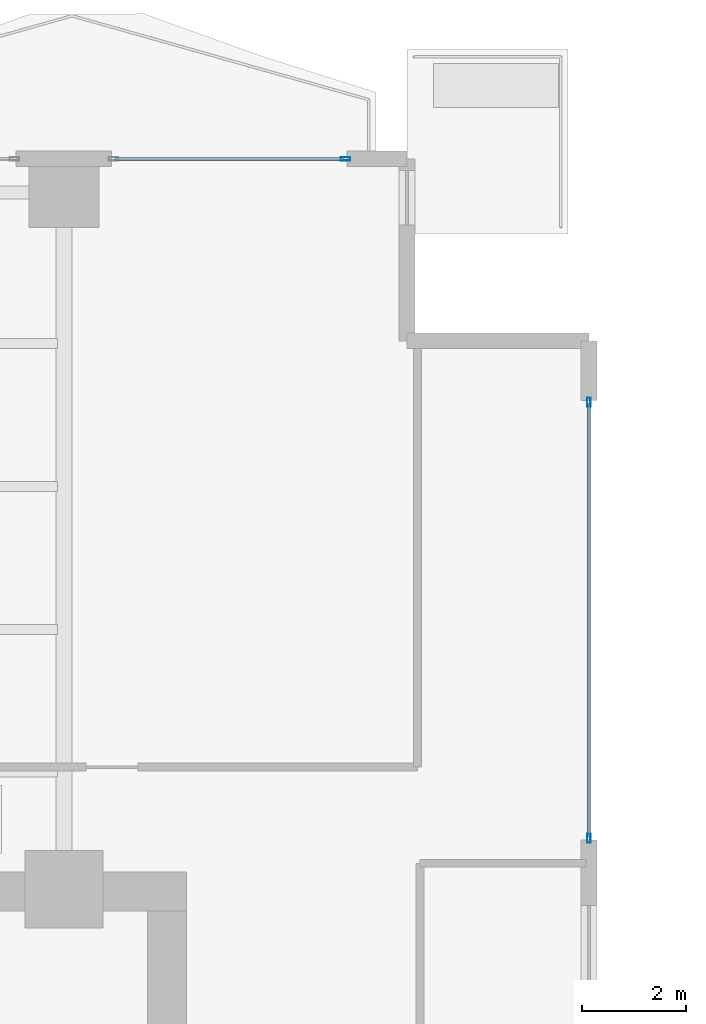
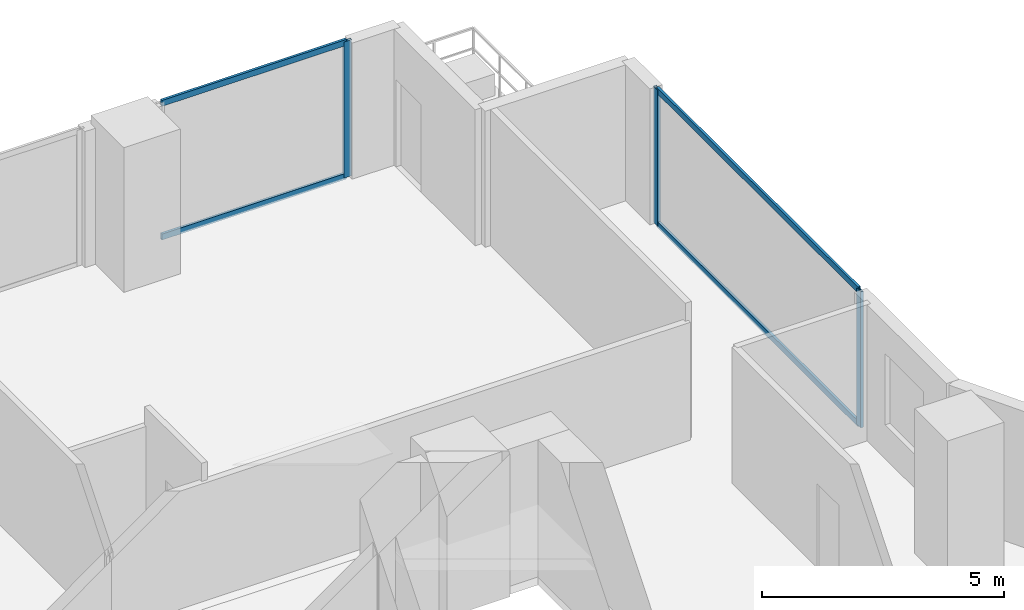
# One storey, part 19 of 28: 7 members, 2 elements without a shape of their own.
"""IFC4 building model written with IfcOpenShell, lengths in metres."""

from ifc_helpers import new_model, si_unit, direction, frame, origin, origin_2d, place, context, subcontext, project, spatial, hollow_rectangle, extrude, material, layer, layer_set, material_profile, profile_set, type_object, element, aggregate, save


model = new_model("IFC4")

# Units and contexts
model_context = context("Model", 3, precision=1e-05, world=origin(), true_north=direction((0.0, 1.0)))
body_context = subcontext(model_context, "Body", "Model", "MODEL_VIEW")
ifc_project = project(units=[si_unit("LENGTHUNIT", "METRE"), si_unit("AREAUNIT", "SQUARE_METRE"), si_unit("VOLUMEUNIT", "CUBIC_METRE"), si_unit("PLANEANGLEUNIT", "RADIAN"), si_unit("MASSUNIT", "GRAM", prefix="KILO")], contexts=[model_context])

# Site, building, storey
site_placement = place(None, origin())
site = spatial("IfcSite", under=ifc_project, at=site_placement, CompositionType="ELEMENT")
building_placement = place(site_placement, origin())
building = spatial("IfcBuilding", under=site, at=building_placement, Name="Zuhayl Quay Hotel", CompositionType="ELEMENT")
storey_placement = place(building_placement, frame((0.0, 0.0, 139.449951171875)))
storey = spatial("IfcBuildingStorey", under=building, at=storey_placement, Name="L35", CompositionType="ELEMENT", Elevation=139.449951171875)

# Curtain wall, member
ifc_material_1 = material(Name="Anodised Aluminium 6063-T6", Category="aluminium")
ifc_layer = layer(ifc_material_1, 0.179931640625, Name="Anodised Aluminium 6063-T6", Category="aluminium")
ifc_layer_set = layer_set([ifc_layer], Name="Anodised Aluminium 6063-T6")
curtain_wall_type = type_object("IfcCurtainWallType", Name="CW_SYS_Z2", PredefinedType="USERDEFINED", material=ifc_layer_set)
curtain_wall_1_placement = place(storey_placement, origin())
curtain_wall_1 = element("IfcCurtainWall", 1, at=curtain_wall_1_placement, inside=storey, type_object=curtain_wall_type, Name="L35 Curtain Wall ENV_L35_N_CW6", ObjectType="UNITISED CURTAIN WALL", PredefinedType="USERDEFINED")
ifc_material_2 = material(Name="Black-anodised aluminium 6063-T6", Category="aluminium")
ifc_material_profile_1 = material_profile(ifc_material_2, hollow_rectangle(XDim=0.06494140625, YDim=0.179931640625, WallThickness=0.00341796875, at=origin_2d()), Name="ALU180X65")
ifc_profile_set_1 = profile_set([ifc_material_profile_1], Name="Black-anodised aluminium 6063-T6")
member_type_1 = type_object("IfcMemberType", Name="MB_CW_MUL_180", PredefinedType="MULLION", material=ifc_profile_set_1)
member_1_placement = place(storey_placement, frame((19.217529296875, 28.39990234375, 0.0), z_axis=(0.0, 0.0, 1.0), x_axis=(0.0, 1.0, 0.0)))
member_1 = element("IfcMember", 2, at=member_1_placement, type_object=member_type_1, Name="CW-Z2 mullion 2", PredefinedType="MULLION", context=body_context, shape_type="SweptSolid", body=[
    extrude(hollow_rectangle(XDim=0.06494140625, YDim=0.179931640625, WallThickness=0.00341796875, at=origin_2d()), origin(), (0.0, 0.0, 1.0), 3.429931640625),
])

# Curtain wall, members
curtain_wall_2_placement = place(storey_placement, origin())
curtain_wall_2 = element("IfcCurtainWall", 3, at=curtain_wall_2_placement, inside=storey, type_object=curtain_wall_type, Name="L35 Curtain Wall ENV_L35_E11_CW1", ObjectType="UNITISED CURTAIN WALL", PredefinedType="USERDEFINED")
member_2_placement = place(storey_placement, frame((23.89990234375, 23.717529296875, 0.0), z_axis=(0.0, 0.0, 1.0), x_axis=(1.0, 0.0, 0.0)))
member_2 = element("IfcMember", 4, at=member_2_placement, type_object=member_type_1, Name="CW-Z2 mullion 1", PredefinedType="MULLION", context=body_context, shape_type="SweptSolid", body=[
    extrude(hollow_rectangle(XDim=0.06494140625, YDim=0.179931640625, WallThickness=0.00341796875, at=origin_2d()), origin(), (0.0, 0.0, 1.0), 3.429931640625),
])
member_3_placement = place(storey_placement, frame((23.89990234375, 15.33251953125, 0.0), z_axis=(0.0, 0.0, 1.0), x_axis=(1.0, 0.0, 0.0)))
member_3 = element("IfcMember", 5, at=member_3_placement, type_object=member_type_1, Name="CW-Z2 mullion 2", PredefinedType="MULLION", context=body_context, shape_type="SweptSolid", body=[
    extrude(hollow_rectangle(XDim=0.06494140625, YDim=0.179931640625, WallThickness=0.00341796875, at=origin_2d()), origin(), (0.0, 0.0, 1.0), 3.429931640625),
])

# Member
ifc_material_profile_2 = material_profile(ifc_material_2, hollow_rectangle(XDim=0.06005859375, YDim=0.14990234375, WallThickness=0.00341796875, at=origin_2d()), Name="ALU150X60")
ifc_profile_set_2 = profile_set([ifc_material_profile_2], Name="Black-anodised aluminium 6063-T6")
member_type_2 = type_object("IfcMemberType", Name="MB_CW_TRN_150", PredefinedType="USERDEFINED", material=ifc_profile_set_2)
member_4_placement = place(storey_placement, frame((14.784912109375, 28.39990234375, 0.030029296875), z_axis=(1.0, 0.0, 0.0), x_axis=(0.0, 1.0, 0.0)))
member_4 = element("IfcMember", 6, at=member_4_placement, type_object=member_type_2, Name="CW-Z2 transom 1.1", ObjectType="TRANSOM", PredefinedType="USERDEFINED", context=body_context, shape_type="SweptSolid", body=[
    extrude(hollow_rectangle(XDim=0.06005859375, YDim=0.14990234375, WallThickness=0.00341796875, at=origin_2d()), origin(), (0.0, 0.0, 1.0), 4.400146484375),
])

member_5_placement = place(storey_placement, frame((14.784912109375, 28.39990234375, 3.400146484375), z_axis=(1.0, 0.0, 0.0), x_axis=(0.0, 1.0, 0.0)))
member_5 = element("IfcMember", 7, at=member_5_placement, type_object=member_type_2, Name="CW-Z2 transom 1.2", ObjectType="TRANSOM", PredefinedType="USERDEFINED", context=body_context, shape_type="SweptSolid", body=[
    extrude(hollow_rectangle(XDim=0.06005859375, YDim=0.14990234375, WallThickness=0.00341796875, at=origin_2d()), origin(), (0.0, 0.0, 1.0), 4.400146484375),
])

aggregate(curtain_wall_1, [member_1, member_4, member_5])

member_6_placement = place(storey_placement, frame((23.89990234375, 23.68505859375, 0.030029296875), z_axis=(0.0, -1.0, 0.0), x_axis=(1.0, 0.0, 0.0)))
member_6 = element("IfcMember", 8, at=member_6_placement, type_object=member_type_2, Name="CW-Z2 transom 1.1", ObjectType="TRANSOM", PredefinedType="USERDEFINED", context=body_context, shape_type="SweptSolid", body=[
    extrude(hollow_rectangle(XDim=0.06005859375, YDim=0.14990234375, WallThickness=0.00341796875, at=origin_2d()), origin(), (0.0, 0.0, 1.0), 8.320068359375),
])

member_7_placement = place(storey_placement, frame((23.89990234375, 23.68505859375, 3.400146484375), z_axis=(0.0, -1.0, 0.0), x_axis=(1.0, 0.0, 0.0)))
member_7 = element("IfcMember", 9, at=member_7_placement, type_object=member_type_2, Name="CW-Z2 transom 1.2", ObjectType="TRANSOM", PredefinedType="USERDEFINED", context=body_context, shape_type="SweptSolid", body=[
    extrude(hollow_rectangle(XDim=0.06005859375, YDim=0.14990234375, WallThickness=0.00341796875, at=origin_2d()), origin(), (0.0, 0.0, 1.0), 8.320068359375),
])

aggregate(curtain_wall_2, [member_2, member_3, member_6, member_7])

save(model, "model.ifc")
